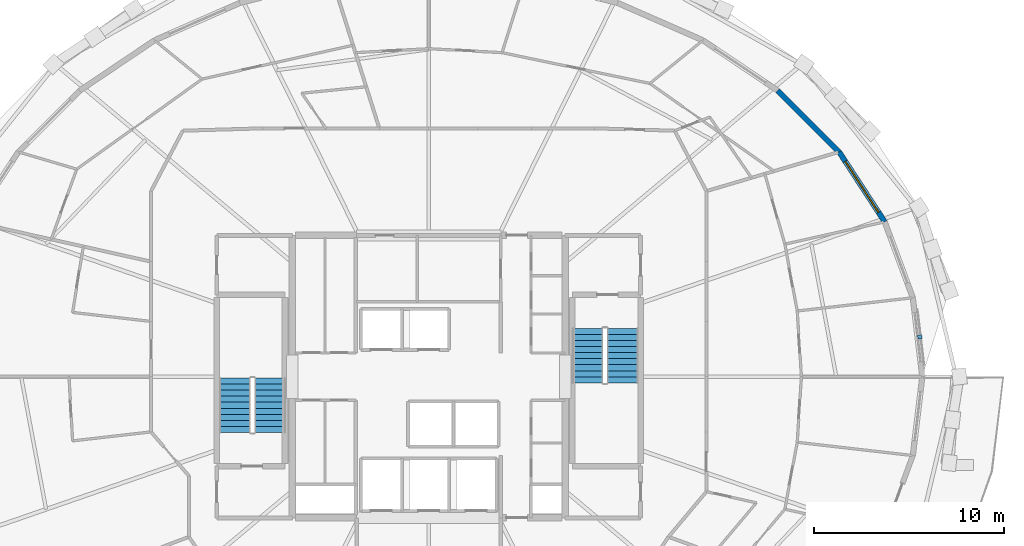
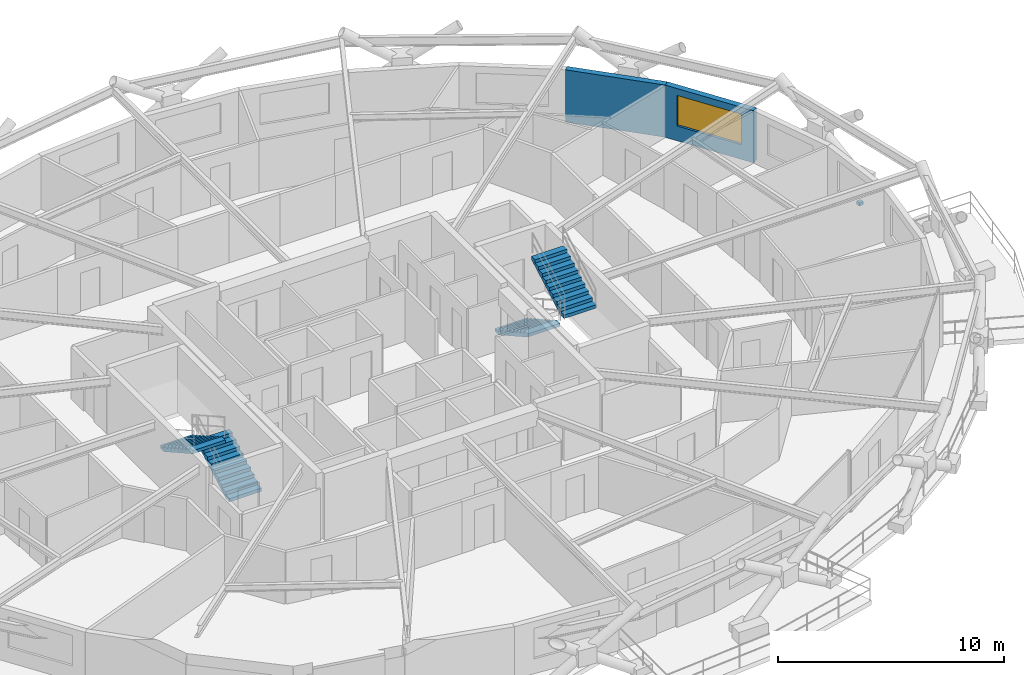
# One storey, part 15 of 16: 4 stair flights, 2 walls, 1 discrete accessory, 1 window, 1 opening, 2 elements without a shape of their own.
"""IFC4 building model written with IfcOpenShell, lengths in metres."""

from ifc_helpers import new_model, si_unit, direction, frame, frame_2d, origin, origin_2d, place, context, subcontext, project, spatial, polyline, rectangle, outline, extrude, material, layer, layer_set, type_object, element, fill, aggregate, save


model = new_model("IFC4")

# Units and contexts
model_context = context("Model", 3, precision=1e-05, world=origin(), true_north=direction((0.0, 1.0)))
body_context = subcontext(model_context, "Body", "Model", "MODEL_VIEW")
ifc_project = project(units=[si_unit("LENGTHUNIT", "METRE"), si_unit("AREAUNIT", "SQUARE_METRE"), si_unit("VOLUMEUNIT", "CUBIC_METRE"), si_unit("PLANEANGLEUNIT", "RADIAN"), si_unit("MASSUNIT", "GRAM", prefix="KILO")], contexts=[model_context])

# Site, building, storey
site_placement = place(None, origin())
site = spatial("IfcSite", under=ifc_project, at=site_placement, CompositionType="ELEMENT")
building_placement = place(site_placement, origin())
building = spatial("IfcBuilding", under=site, at=building_placement, Name="Veldorina Hangang Commons", CompositionType="ELEMENT")
storey_placement = place(building_placement, frame((0.0, 0.0, 174.800048828125)))
storey = spatial("IfcBuildingStorey", under=building, at=storey_placement, Name="L45", CompositionType="ELEMENT", Elevation=174.800048828125)

# Wall, opening, window
ifc_material_1 = material(Name="Stone Roman Travertine", Category="masonry")
ifc_layer = layer(ifc_material_1, 0.280029296875)
ifc_layer_set = layer_set([ifc_layer], Name="Stone Roman Travertine")
wall_type = type_object("IfcWallType", Name="EW-TRAV-280", PredefinedType="STANDARD", material=ifc_layer_set)
wall_1_placement = place(storey_placement, frame((56.057861328125, 32.16650390625, 0.0), z_axis=(0.0, 0.0, 1.0), x_axis=(-0.54628130625, 0.837601775573, 0.0)))
wall_1 = element("IfcWall", 1, at=wall_1_placement, inside=storey, type_object=wall_type, Name="L45 travertine facade wall 02", PredefinedType="STANDARD", context=body_context, shape_type="SweptSolid", body=[
    extrude(rectangle(XDim=4.40478515625, YDim=0.280029296875, at=frame_2d((2.202392578125, 0.0))), origin(), (0.0, 0.0, 1.0), 2.820068359375),
])
opening_placement = place(wall_1_placement, frame((0.602294921875, 0.0, 0.800048828125)))
opening = element("IfcOpeningElement", 2, at=opening_placement, cuts=wall_1, Name="Opening W-01", PredefinedType="OPENING", context=body_context, shape_type="SweptSolid", body=[
    extrude(rectangle(XDim=3.199951171875, YDim=1.64990234375, at=frame_2d((1.60009765625, 0.824951171875))), frame((0.0, 0.14990234375, 0.0), z_axis=(0.0, -1.0, 0.0), x_axis=(1.0, 0.0, 0.0)), (0.0, 0.0, 1.0), 0.300048828125),
])
ifc_material_2 = material(Name="Glass Low-E Triple IGU", Category="glass")
window_type = type_object("IfcWindowType", Name="WIN-TWR-3200", PartitioningType="SINGLE_PANEL", PredefinedType="WINDOW", material=ifc_material_2)
window_placement = place(opening_placement, origin())
window = element("IfcWindow", 3, at=window_placement, inside=storey, type_object=window_type, Name="L45 facade window 02", OverallHeight=1.64990234375, OverallWidth=3.199951171875, PartitioningType="SINGLE_PANEL", PredefinedType="WINDOW", context=body_context, shape_type="SweptSolid", body=[
    extrude(rectangle(XDim=3.199951171875, YDim=1.64990234375, at=frame_2d((1.60009765625, 0.824951171875))), frame((0.0, 0.030029296875, 0.0), z_axis=(0.0, -1.0, 0.0), x_axis=(1.0, 0.0, 0.0)), (0.0, 0.0, 1.0), 0.06005859375),
])
fill(opening, window)

# Wall
wall_2_placement = place(storey_placement, frame((53.651611328125, 35.85595703125, 0.0), z_axis=(0.0, 0.0, 1.0), x_axis=(-0.707640043992, 0.706573115919, 0.0)))
element("IfcWall", 4, at=wall_2_placement, inside=storey, type_object=wall_type, Name="L45 travertine facade wall 03", PredefinedType="STANDARD", context=body_context, shape_type="SweptSolid", body=[
    extrude(rectangle(XDim=4.576416015625, YDim=0.280029296875, at=frame_2d((2.2880859375, 0.0))), origin(), (0.0, 0.0, 1.0), 2.820068359375),
])

# Stair, stair flights
ifc_material_3 = material(Name="Concrete C40/50", Category="concrete")
stair_type = type_object("IfcStairType", Name="STR-DOG-1650-20R", PredefinedType="HALF_TURN_STAIR", material=ifc_material_3)
stair_1_placement = place(storey_placement, origin())
stair_1 = element("IfcStair", 5, at=stair_1_placement, inside=storey, type_object=stair_type, Name="L45 Exit stair ST-1", PredefinedType="HALF_TURN_STAIR")
stair_flight_type = type_object("IfcStairFlightType", Name="SFL-STR-1650-20R", PredefinedType="STRAIGHT", material=ifc_material_3)
stair_flight_1_placement = place(storey_placement, frame((23.625, 21.050048828125, 0.0), z_axis=(0.0, 0.0, 1.0), x_axis=(0.0, 1.0, 0.0)))
stair_flight_1 = element("IfcStairFlight", 6, at=stair_flight_1_placement, type_object=stair_flight_type, Name="ST-1 flight 1", NumberOfRisers=10, NumberOfTreads=9, PredefinedType="STRAIGHT", RiserHeight=0.18, TreadLength=0.32, context=body_context, shape_type="SweptSolid", body=[
    extrude(outline(polyline([(0.0, 0.0), (0.0, 0.179931640625), (0.320068359375, 0.179931640625), (0.320068359375, 0.360107421875), (0.639892578125, 0.360107421875), (0.639892578125, 0.5400390625), (0.9599609375, 0.5400390625), (0.9599609375, 0.719970703125), (1.280029296875, 0.719970703125), (1.280029296875, 0.89990234375), (1.60009765625, 0.89990234375), (1.60009765625, 1.080078125), (1.919921875, 1.080078125), (1.919921875, 1.260009765625), (2.239990234375, 1.260009765625), (2.239990234375, 1.43994140625), (2.56005859375, 1.43994140625), (2.56005859375, 1.6201171875), (2.8798828125, 1.6201171875), (2.8798828125, 1.800048828125), (2.8798828125, 1.447998046875), (0.3056640625, 0.0), (0.0, 0.0)])), frame((0.0, 0.824951171875, 0.0), z_axis=(0.0, -1.0, 0.0), x_axis=(1.0, 0.0, 0.0)), (0.0, 0.0, 1.0), 1.64990234375),
])
stair_flight_2_placement = place(storey_placement, frame((21.77490234375, 23.929931640625, 1.800048828125), z_axis=(0.0, 0.0, 1.0), x_axis=(0.0, -1.0, 0.0)))
stair_flight_2 = element("IfcStairFlight", 7, at=stair_flight_2_placement, type_object=stair_flight_type, Name="ST-1 flight 2", NumberOfRisers=10, NumberOfTreads=9, PredefinedType="STRAIGHT", RiserHeight=0.18, TreadLength=0.32, context=body_context, shape_type="SweptSolid", body=[
    extrude(outline(polyline([(0.0, 0.0), (0.0, 0.179931640625), (0.320068359375, 0.179931640625), (0.320068359375, 0.360107421875), (0.639892578125, 0.360107421875), (0.639892578125, 0.5400390625), (0.9599609375, 0.5400390625), (0.9599609375, 0.719970703125), (1.280029296875, 0.719970703125), (1.280029296875, 0.89990234375), (1.60009765625, 0.89990234375), (1.60009765625, 1.080078125), (1.919921875, 1.080078125), (1.919921875, 1.260009765625), (2.239990234375, 1.260009765625), (2.239990234375, 1.43994140625), (2.56005859375, 1.43994140625), (2.56005859375, 1.6201171875), (2.8798828125, 1.6201171875), (2.8798828125, 1.800048828125), (2.8798828125, 1.447998046875), (0.3056640625, 0.0), (0.0, 0.0)])), frame((0.0, 0.824951171875, 0.0), z_axis=(0.0, -1.0, 0.0), x_axis=(1.0, 0.0, 0.0)), (0.0, 0.0, 1.0), 1.64990234375),
])
aggregate(stair_1, [stair_flight_1, stair_flight_2])

stair_2_placement = place(storey_placement, origin())
stair_2 = element("IfcStair", 8, at=stair_2_placement, inside=storey, type_object=stair_type, Name="L45 Exit stair ST-2", PredefinedType="HALF_TURN_STAIR")
stair_flight_3_placement = place(storey_placement, frame((40.375, 26.550048828125, 0.0), z_axis=(0.0, 0.0, 1.0), x_axis=(0.0, -1.0, 0.0)))
stair_flight_3 = element("IfcStairFlight", 9, at=stair_flight_3_placement, type_object=stair_flight_type, Name="ST-2 flight 1", NumberOfRisers=10, NumberOfTreads=9, PredefinedType="STRAIGHT", RiserHeight=0.18, TreadLength=0.32, context=body_context, shape_type="SweptSolid", body=[
    extrude(outline(polyline([(0.0, 0.0), (0.0, 0.179931640625), (0.320068359375, 0.179931640625), (0.320068359375, 0.360107421875), (0.639892578125, 0.360107421875), (0.639892578125, 0.5400390625), (0.9599609375, 0.5400390625), (0.9599609375, 0.719970703125), (1.280029296875, 0.719970703125), (1.280029296875, 0.89990234375), (1.60009765625, 0.89990234375), (1.60009765625, 1.080078125), (1.919921875, 1.080078125), (1.919921875, 1.260009765625), (2.239990234375, 1.260009765625), (2.239990234375, 1.43994140625), (2.56005859375, 1.43994140625), (2.56005859375, 1.6201171875), (2.8798828125, 1.6201171875), (2.8798828125, 1.800048828125), (2.8798828125, 1.447998046875), (0.3056640625, 0.0), (0.0, 0.0)])), frame((0.0, 0.824951171875, 0.0), z_axis=(0.0, -1.0, 0.0), x_axis=(1.0, 0.0, 0.0)), (0.0, 0.0, 1.0), 1.64990234375),
])
stair_flight_4_placement = place(storey_placement, frame((42.22509765625, 23.669921875, 1.800048828125), z_axis=(0.0, 0.0, 1.0), x_axis=(0.0, 1.0, 0.0)))
stair_flight_4 = element("IfcStairFlight", 10, at=stair_flight_4_placement, type_object=stair_flight_type, Name="ST-2 flight 2", NumberOfRisers=10, NumberOfTreads=9, PredefinedType="STRAIGHT", RiserHeight=0.18, TreadLength=0.32, context=body_context, shape_type="SweptSolid", body=[
    extrude(outline(polyline([(0.0, 0.0), (0.0, 0.179931640625), (0.320068359375, 0.179931640625), (0.320068359375, 0.360107421875), (0.639892578125, 0.360107421875), (0.639892578125, 0.5400390625), (0.9599609375, 0.5400390625), (0.9599609375, 0.719970703125), (1.280029296875, 0.719970703125), (1.280029296875, 0.89990234375), (1.60009765625, 0.89990234375), (1.60009765625, 1.080078125), (1.919921875, 1.080078125), (1.919921875, 1.260009765625), (2.239990234375, 1.260009765625), (2.239990234375, 1.43994140625), (2.56005859375, 1.43994140625), (2.56005859375, 1.6201171875), (2.8798828125, 1.6201171875), (2.8798828125, 1.800048828125), (2.8798828125, 1.447998046875), (0.3056640625, 0.0), (0.0, 0.0)])), frame((0.0, 0.824951171875, 0.0), z_axis=(0.0, -1.0, 0.0), x_axis=(1.0, 0.0, 0.0)), (0.0, 0.0, 1.0), 1.64990234375),
])
aggregate(stair_2, [stair_flight_3, stair_flight_4])

# Discrete accessory
ifc_material_4 = material(Name="Stainless Steel Brushed 316", Category="steel")
discrete_accessory_type = type_object("IfcDiscreteAccessoryType", Name="BRK-SCR-SS", PredefinedType="BRACKET", material=ifc_material_4)
discrete_accessory_placement = place(storey_placement, frame((57.908935546875, 26.095947265625, 0.72021484375), z_axis=(0.0, 0.0, 1.0), x_axis=(-0.119339763525, 0.992853474004, 0.0)))
element("IfcDiscreteAccessory", 11, at=discrete_accessory_placement, inside=storey, type_object=discrete_accessory_type, Name="L45 solar screen support bracket 00", PredefinedType="BRACKET", context=body_context, shape_type="SweptSolid", body=[
    extrude(rectangle(XDim=0.219970703125, YDim=0.219970703125, at=origin_2d()), origin(), (0.0, 0.0, 1.0), 0.159912109375),
])

save(model, "model.ifc")
